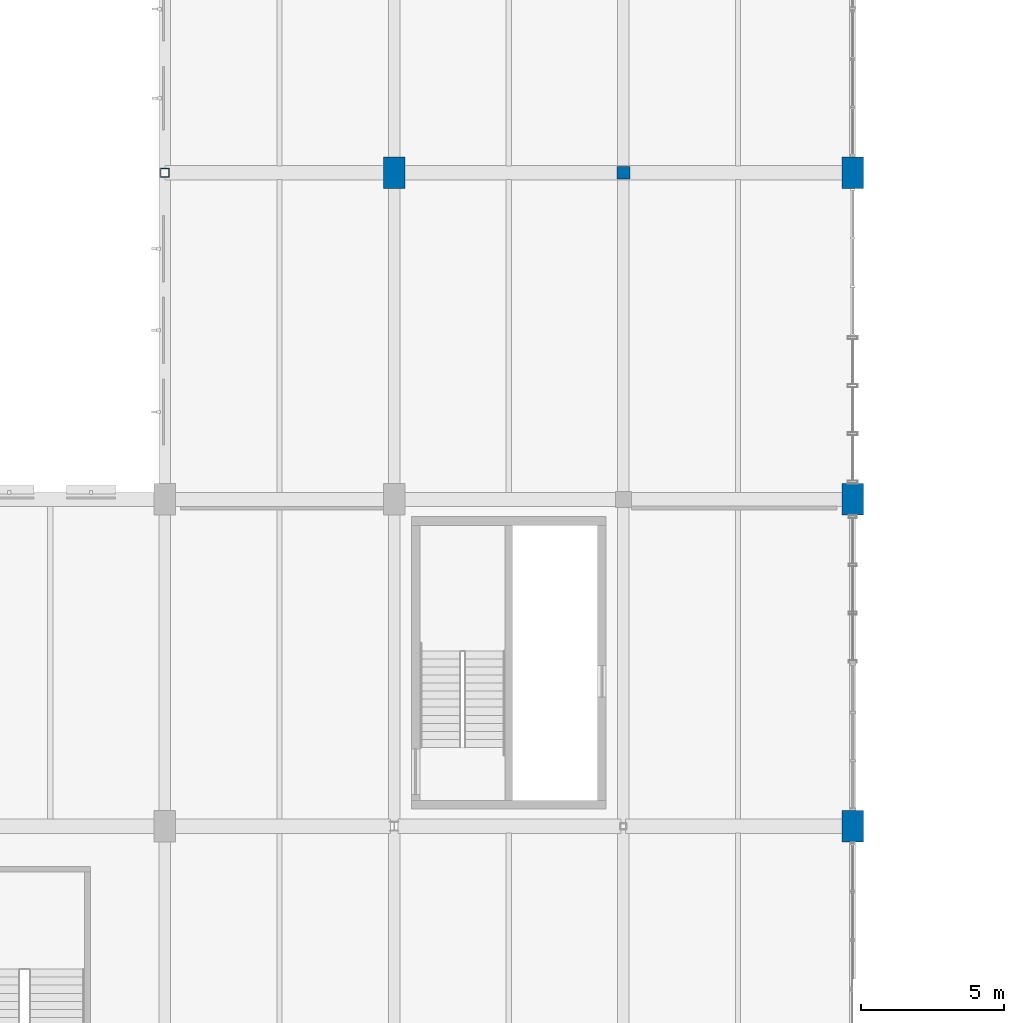
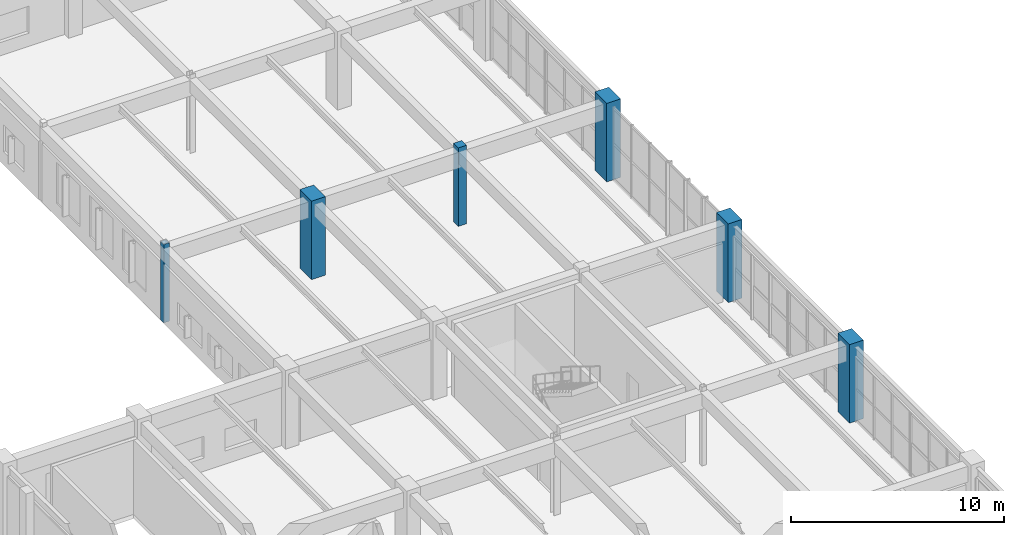
# One storey, part 4 of 80: 6 columns.
"""IFC4 building model written with IfcOpenShell, lengths in metres."""

import ifcopenshell
import ifcopenshell.guid

model = None  # the IFC model being written
_history = None  # IfcOwnerHistory: only IFC2X3 demands one
_inside = {}  # id of a spatial element -> (the spatial element, [elements in it])
_under = {}  # id of a project, library or spatial element -> (it, [spatial elements below it])
_declared = {}  # id of a project -> (the project, [libraries it declares])
_typed = {}  # id of a type object -> (the type object, [elements of that type])
_made_of = {}  # id of a material, layer set ... -> (it, [elements and type objects made of it])


def new_model(schema):
    """Start an empty IFC model of exactly this schema.

    Asked for "IFC4X3", IfcOpenShell would pick the latest addendum, in which some entities
    have other attributes; the version numbers below select the first issue.
    IFC2X3 requires an IfcOwnerHistory on every rooted entity: one is made here for all.
    """
    global model, _history
    if schema == "IFC4X3":
        model = ifcopenshell.file(schema_version=(4, 3, 0, 0))
    else:
        model = ifcopenshell.file(schema=schema)
    _inside.clear()
    _under.clear()
    _declared.clear()
    _typed.clear()
    _made_of.clear()
    _history = None
    if model.schema == "IFC2X3":
        org = make("IfcOrganization", Name="unknown")
        user = make(
            "IfcPersonAndOrganization",
            ThePerson=make("IfcPerson", FamilyName="unknown"),
            TheOrganization=org,
        )
        app = make(
            "IfcApplication",
            ApplicationDeveloper=org,
            Version="unknown",
            ApplicationFullName="unknown",
            ApplicationIdentifier="unknown",
        )
        _history = make(
            "IfcOwnerHistory",
            OwningUser=user,
            OwningApplication=app,
            ChangeAction="ADDED",
            CreationDate=0,
        )
    return model


def make(cls, **values):
    """One entity of the class cls with the attributes given. An attribute that is None is left unset."""
    return model.create_entity(
        cls, **{name: value for name, value in values.items() if value is not None}
    )


def rooted(cls, **values):
    """An entity with a GlobalId (a new one), such as an element, a storey or a relation."""
    return make(cls, GlobalId=ifcopenshell.guid.new(), OwnerHistory=_history, **values)


def si_unit(unit_type, name, prefix=None):
    """IfcSIUnit, for example si_unit("LENGTHUNIT", "METRE", prefix="MILLI")."""
    return make("IfcSIUnit", UnitType=unit_type, Prefix=prefix, Name=name)


def assignment(units):
    """IfcUnitAssignment: the units of a project."""
    return None if units is None else make("IfcUnitAssignment", Units=units)


def point(xyz):
    """IfcCartesianPoint."""
    return None if xyz is None else make("IfcCartesianPoint", Coordinates=xyz)


def direction(xyz):
    """IfcDirection."""
    return None if xyz is None else make("IfcDirection", DirectionRatios=xyz)


def frame(location, z_axis=None, x_axis=None):
    """IfcAxis2Placement3D, a coordinate frame: its origin and axes. An axis left out is left unset."""
    return make(
        "IfcAxis2Placement3D",
        Location=point(location),
        Axis=direction(z_axis),
        RefDirection=direction(x_axis),
    )


def frame_2d(location, x_axis=None):
    """IfcAxis2Placement2D, a coordinate frame in the plane: its origin and x axis."""
    return make(
        "IfcAxis2Placement2D", Location=point(location), RefDirection=direction(x_axis)
    )


def origin():
    """The frame at (0, 0, 0) with its axes left unset."""
    return frame((0.0, 0.0, 0.0))


def origin_2d():
    """The frame at (0, 0) in the plane with its x axis left unset."""
    return frame_2d((0.0, 0.0))


def place(relative_to, where):
    """IfcLocalPlacement: puts the frame where relative to a parent placement (None: the world)."""
    return make(
        "IfcLocalPlacement", PlacementRelTo=relative_to, RelativePlacement=where
    )


def context(
    kind, dimensions, precision=None, world=None, true_north=None, identifier=None
):
    """IfcGeometricRepresentationContext, for example the 3D "Model" context."""
    return make(
        "IfcGeometricRepresentationContext",
        ContextIdentifier=identifier,
        ContextType=kind,
        CoordinateSpaceDimension=dimensions,
        Precision=precision,
        WorldCoordinateSystem=world,
        TrueNorth=true_north,
    )


def subcontext(parent, identifier, kind, view, scale=None):
    """IfcGeometricRepresentationSubContext, for example "Body" below "Model"."""
    return make(
        "IfcGeometricRepresentationSubContext",
        ContextIdentifier=identifier,
        ContextType=kind,
        ParentContext=parent,
        TargetScale=scale,
        TargetView=view,
    )


def project(units=None, contexts=None):
    """IfcProject with its units and contexts."""
    return rooted(
        "IfcProject",
        Name="project",
        RepresentationContexts=contexts,
        UnitsInContext=assignment(units),
    )


def spatial(cls, under=None, at=None, **own):
    """A site, building, storey or space (cls), placed at a placement, below another one or the project."""
    s = rooted(cls, ObjectPlacement=at, **own)
    if under is not None:
        _under.setdefault(under.id(), (under, []))[1].append(s)
    return s


def profile(cls, at=None, kind="AREA", **sizes):
    """A parametric profile (cls). Its sizes go by their IFC names, for example OverallWidth=200.0."""
    return make(cls, ProfileType=kind, Position=at, **sizes)


def rectangle(**sizes):
    """IfcRectangleProfileDef."""
    return profile("IfcRectangleProfileDef", **sizes)


def hollow_rectangle(**sizes):
    """IfcRectangleHollowProfileDef."""
    return profile("IfcRectangleHollowProfileDef", **sizes)


def extrude(swept, where, along, depth):
    """IfcExtrudedAreaSolid: the profile swept, set in the frame where, extruded along a direction by depth."""
    return make(
        "IfcExtrudedAreaSolid",
        SweptArea=swept,
        Position=where,
        ExtrudedDirection=direction(along),
        Depth=depth,
    )


def shape(context_of_items, identifier, shape_type, items):
    """IfcShapeRepresentation: the items that make up one representation, for example the "Body"."""
    return make(
        "IfcShapeRepresentation",
        ContextOfItems=context_of_items,
        RepresentationIdentifier=identifier,
        RepresentationType=shape_type,
        Items=items,
    )


def material(Name=None, Category=None):
    """IfcMaterial."""
    return make("IfcMaterial", Name=Name, Category=Category)


def material_profile(
    of_material, cross_section, Name=None, Category=None, Priority=None
):
    """IfcMaterialProfile: a cross section and its material."""
    return make(
        "IfcMaterialProfile",
        Name=Name,
        Material=of_material,
        Profile=cross_section,
        Priority=Priority,
        Category=Category,
    )


def profile_set(profiles, Name=None, composite=None):
    """IfcMaterialProfileSet."""
    return make(
        "IfcMaterialProfileSet",
        Name=Name,
        MaterialProfiles=profiles,
        CompositeProfile=composite,
    )


def made_of(thing, what):
    """Note that an element or type object is made of a material, layer set ...; save() writes the relation."""
    if what is not None:
        _made_of.setdefault(what.id(), (what, []))[1].append(thing)
    return thing


def type_object(cls, material=None, **own):
    """A type object (cls), such as IfcWallType, which elements share."""
    return made_of(rooted(cls, **own), material)


def element(
    cls,
    number,
    at=None,
    inside=None,
    cuts=None,
    type_object=None,
    material=None,
    context=None,
    identifier="Body",
    shape_type=None,
    held_by="IfcProductDefinitionShape",
    body=None,
    shapes=None,
    **own,
):
    """One element of the class cls, such as IfcWall. Its Tag is "e" and its number.

    at: its placement. inside: the storey or other place that contains it. cuts: it is an
    opening in that element (IfcRelVoidsElement). A single representation is given by context,
    identifier, shape_type and body (its items); several are given by shapes. held_by: the class
    of the entity that holds the representations. save() writes the other relations.
    """
    e = rooted(cls, Tag="e%d" % number, ObjectPlacement=at, **own)
    if body is not None:
        shapes = [shape(context, identifier, shape_type, body)]
    if shapes is not None:
        e.Representation = make(held_by, Representations=shapes)
    if inside is not None:
        _inside.setdefault(inside.id(), (inside, []))[1].append(e)
    if cuts is not None:
        rooted(
            "IfcRelVoidsElement", RelatingBuildingElement=cuts, RelatedOpeningElement=e
        )
    if type_object is not None:
        _typed.setdefault(type_object.id(), (type_object, []))[1].append(e)
    return made_of(e, material)


def aggregate(whole, parts):
    """IfcRelAggregates: a whole, such as a stair, and the parts it consists of."""
    return rooted("IfcRelAggregates", RelatingObject=whole, RelatedObjects=parts)


def save(model, path):
    """Write the relations noted so far, then the file.

    IfcRelAggregates (storeys below a building ...), IfcRelContainedInSpatialStructure (elements
    in a storey), IfcRelDefinesByType, IfcRelAssociatesMaterial and IfcRelDeclares: one each for
    every whole, place, type object, material and project.
    """
    for whole, parts in _under.values():
        aggregate(whole, parts)
    for where, things in _inside.values():
        rooted(
            "IfcRelContainedInSpatialStructure",
            RelatedElements=things,
            RelatingStructure=where,
        )
    for kind, things in _typed.values():
        rooted("IfcRelDefinesByType", RelatedObjects=things, RelatingType=kind)
    for what, things in _made_of.values():
        rooted("IfcRelAssociatesMaterial", RelatedObjects=things, RelatingMaterial=what)
    for by, libraries in _declared.values():
        rooted("IfcRelDeclares", RelatingContext=by, RelatedDefinitions=libraries)
    model.write(path)


model = new_model("IFC4")

# Units and contexts
model_context = context("Model", 3, precision=1e-05, world=origin(), true_north=direction((0.0, 1.0)))
body_context = subcontext(model_context, "Body", "Model", "MODEL_VIEW")
ifc_project = project(units=[si_unit("LENGTHUNIT", "METRE"), si_unit("AREAUNIT", "SQUARE_METRE"), si_unit("VOLUMEUNIT", "CUBIC_METRE"), si_unit("PLANEANGLEUNIT", "RADIAN"), si_unit("MASSUNIT", "GRAM", prefix="KILO"), si_unit("POWERUNIT", "WATT"), si_unit("THERMODYNAMICTEMPERATUREUNIT", "KELVIN")], contexts=[model_context])

# Site, building, storey
site_placement = place(None, origin())
site = spatial("IfcSite", under=ifc_project, at=site_placement, CompositionType="ELEMENT")
building_placement = place(site_placement, origin())
building = spatial("IfcBuilding", under=site, at=building_placement, Name="Kelmbourne Parkland Aquatics Centre", CompositionType="ELEMENT")
storey_placement = place(building_placement, frame((0.0, 0.0, 10.199951171875)))
storey = spatial("IfcBuildingStorey", under=building, at=storey_placement, Name="L02", CompositionType="ELEMENT", Elevation=10.199951171875)

# Columns
ifc_material_1 = material(Name="Concrete C40/50", Category="concrete")
ifc_material_profile_1 = material_profile(ifc_material_1, rectangle(XDim=0.75, YDim=1.10009765625, at=origin_2d()), Name="RC 750x1100")
ifc_profile_set_1 = profile_set([ifc_material_profile_1], Name="Concrete C40/50")
column_type_1 = type_object("IfcColumnType", Name="COL-C03", PredefinedType="COLUMN", material=ifc_profile_set_1)
for number, where, z_axis, x_axis, name in (
    (1, (24.0, 57.800048828125, 0.0), (0.0, 0.0, 1.0), (1.0, 0.0, 0.0), "Structural column D-08 (L02)"),
    (2, (40.0, 35.0, 0.0), (0.0, 0.0, 1.0), (1.0, 0.0, 0.0), "Structural column F-05 (L02)"),
    (3, (40.0, 46.39990234375, 0.0), (0.0, 0.0, 1.0), (1.0, 0.0, 0.0), "Structural column F-06 (L02)"),
    (4, (40.0, 57.800048828125, 0.0), (0.0, 0.0, 1.0), (1.0, 0.0, 0.0), "Structural column F-08 (L02)"),
):
    element("IfcColumn", number, at=place(storey_placement, frame(where, z_axis=z_axis, x_axis=x_axis)), inside=storey, type_object=column_type_1, Name=name, PredefinedType="COLUMN", context=body_context, shape_type="SweptSolid", body=[
        extrude(rectangle(XDim=0.75, YDim=1.10009765625, at=origin_2d()), origin(), (0.0, 0.0, 1.0), 4.5),
    ])
ifc_material_profile_2 = material_profile(ifc_material_1, rectangle(XDim=0.449951171875, YDim=0.449951171875, at=origin_2d()), Name="RC 450x450")
ifc_profile_set_2 = profile_set([ifc_material_profile_2], Name="Concrete C40/50")
column_type_2 = type_object("IfcColumnType", Name="COL-C08", PredefinedType="COLUMN", material=ifc_profile_set_2)
column_1_placement = place(storey_placement, frame((32.0, 57.800048828125, 0.0), z_axis=(0.0, 0.0, 1.0), x_axis=(1.0, 0.0, 0.0)))
element("IfcColumn", 5, at=column_1_placement, inside=storey, type_object=column_type_2, Name="Structural column E-08 (L02)", PredefinedType="COLUMN", context=body_context, shape_type="SweptSolid", body=[
    extrude(rectangle(XDim=0.449951171875, YDim=0.449951171875, at=origin_2d()), origin(), (0.0, 0.0, 1.0), 4.5),
])
ifc_material_2 = material(Name="Cold-formed hollow steel AS/NZS 1163 C350L0", Category="steel")
ifc_material_profile_3 = material_profile(ifc_material_2, hollow_rectangle(XDim=0.300048828125, YDim=0.300048828125, WallThickness=0.012451171875, at=origin_2d()), Name="SHS 300x300x12.5")
ifc_profile_set_3 = profile_set([ifc_material_profile_3], Name="Cold-formed hollow steel AS/NZS 1163 C350L0")
column_type_3 = type_object("IfcColumnType", Name="COL-C22", PredefinedType="COLUMN", material=ifc_profile_set_3)
column_2_placement = place(storey_placement, frame((16.0, 57.800048828125, 0.0), z_axis=(0.0, 0.0, 1.0), x_axis=(1.0, 0.0, 0.0)))
element("IfcColumn", 6, at=column_2_placement, inside=storey, type_object=column_type_3, Name="Structural column C-08 (L02)", PredefinedType="COLUMN", context=body_context, shape_type="SweptSolid", body=[
    extrude(hollow_rectangle(XDim=0.300048828125, YDim=0.300048828125, WallThickness=0.012451171875, at=origin_2d()), origin(), (0.0, 0.0, 1.0), 4.5),
])

save(model, "model.ifc")
